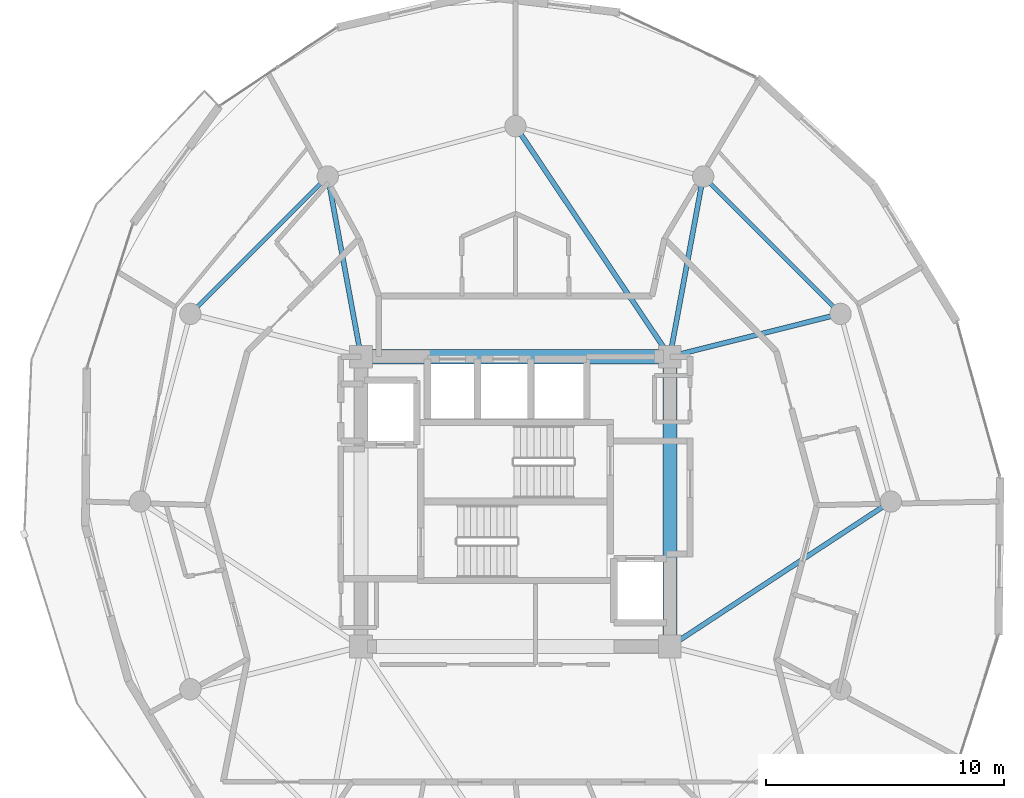
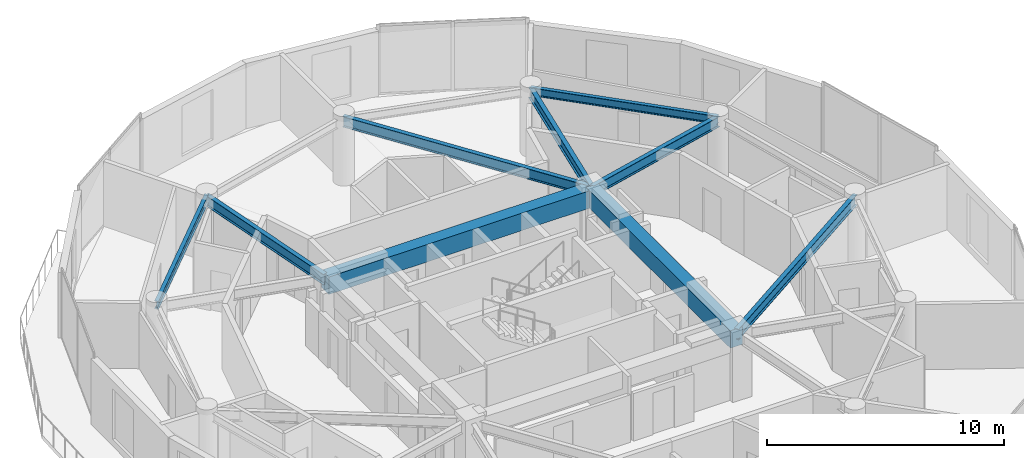
# One storey, part 7 of 20: 9 beams.
"""IFC4 building model written with IfcOpenShell, lengths in metres."""

from ifc_helpers import new_model, si_unit, direction, frame, origin, origin_2d, place, context, subcontext, project, spatial, rectangle, i_section, extrude, material, material_profile, profile_set, type_object, element, save


model = new_model("IFC4")

# Units and contexts
model_context = context("Model", 3, precision=1e-05, world=origin(), true_north=direction((0.0, 1.0)))
body_context = subcontext(model_context, "Body", "Model", "MODEL_VIEW")
ifc_project = project(units=[si_unit("LENGTHUNIT", "METRE"), si_unit("AREAUNIT", "SQUARE_METRE"), si_unit("VOLUMEUNIT", "CUBIC_METRE"), si_unit("PLANEANGLEUNIT", "RADIAN"), si_unit("MASSUNIT", "GRAM", prefix="KILO")], contexts=[model_context])

# Site, building, storey
site_placement = place(None, origin())
site = spatial("IfcSite", under=ifc_project, at=site_placement, CompositionType="ELEMENT")
building_placement = place(site_placement, origin())
building = spatial("IfcBuilding", under=site, at=building_placement, Name="Solvirekh Grand Hotel", CompositionType="ELEMENT")
storey_placement = place(building_placement, frame((0.0, 0.0, 209.199951171875)))
storey = spatial("IfcBuildingStorey", under=building, at=storey_placement, Name="L54", CompositionType="ELEMENT", Elevation=209.199951171875)

# Beams
ifc_material_1 = material(Name="Concrete C50/60", Category="concrete")
ifc_material_profile_1 = material_profile(ifc_material_1, rectangle(XDim=0.60009765625, YDim=0.89990234375, at=origin_2d()), Name="RC BEAM 600X900")
ifc_profile_set_1 = profile_set([ifc_material_profile_1], Name="Concrete C50/60")
beam_type_1 = type_object("IfcBeamType", Name="Beam_Core_RC900", PredefinedType="BEAM", material=ifc_profile_set_1)
beam_1_placement = place(storey_placement, frame((6.5, -6.10009765625, 2.91015625), z_axis=(0.0, 1.0, 0.0), x_axis=(-1.0, 0.0, 0.0)))
element("IfcBeam", 1, at=beam_1_placement, inside=storey, type_object=beam_type_1, Name="L54 core coupling ring beam 2", PredefinedType="BEAM", context=body_context, shape_type="SweptSolid", body=[
    extrude(rectangle(XDim=0.60009765625, YDim=0.89990234375, at=origin_2d()), origin(), (0.0, 0.0, 1.0), 12.2001953125),
])
beam_2_placement = place(storey_placement, frame((6.5, 6.10009765625, 2.91015625), z_axis=(-1.0, 0.0, 0.0), x_axis=(0.0, -1.0, 0.0)))
element("IfcBeam", 2, at=beam_2_placement, inside=storey, type_object=beam_type_1, Name="L54 core coupling ring beam 3", PredefinedType="BEAM", context=body_context, shape_type="SweptSolid", body=[
    extrude(rectangle(XDim=0.60009765625, YDim=0.89990234375, at=origin_2d()), origin(), (0.0, 0.0, 1.0), 13.0),
])
ifc_material_2 = material(Name="Steel S355", Category="steel")
ifc_material_profile_2 = material_profile(ifc_material_2, i_section(OverallWidth=0.2119140625, OverallDepth=0.5439453125, WebThickness=0.011962890625, FlangeThickness=0.01904296875, FilletRadius=0.013916015625, at=origin_2d()), Name="W530X123")
ifc_profile_set_2 = profile_set([ifc_material_profile_2], Name="Steel S355")
beam_type_2 = type_object("IfcBeamType", Name="Beam_Radial_W530H", PredefinedType="BEAM", material=ifc_profile_set_2)
beam_3_placement = place(storey_placement, frame((6.5, -6.10009765625, 3.088134765625), z_axis=(0.836174064962, 0.548464158432, 0.0), x_axis=(-0.548464158432, 0.836174064962, 0.0)))
element("IfcBeam", 3, at=beam_3_placement, inside=storey, type_object=beam_type_2, Name="L54 radial floor beam R01", PredefinedType="BEAM", context=body_context, shape_type="SweptSolid", body=[
    extrude(i_section(OverallWidth=0.2119140625, OverallDepth=0.5439453125, WebThickness=0.011962890625, FlangeThickness=0.01904296875, FilletRadius=0.013916015625, at=origin_2d()), origin(), (0.0, 0.0, 1.0), 11.1220703125),
])
beam_4_placement = place(storey_placement, frame((6.5, 6.10009765625, 3.088134765625), z_axis=(0.970014367692, 0.243047580675, 0.0), x_axis=(-0.243047580675, 0.970014367692, 0.0)))
element("IfcBeam", 4, at=beam_4_placement, inside=storey, type_object=beam_type_2, Name="L54 radial floor beam R02", PredefinedType="BEAM", context=body_context, shape_type="SweptSolid", body=[
    extrude(i_section(OverallWidth=0.2119140625, OverallDepth=0.5439453125, WebThickness=0.011962890625, FlangeThickness=0.01904296875, FilletRadius=0.013916015625, at=origin_2d()), origin(), (0.0, 0.0, 1.0), 7.4052734375),
])
beam_5_placement = place(storey_placement, frame((6.5, 6.10009765625, 3.088134765625), z_axis=(0.181542769111, 0.983383049978, 0.0), x_axis=(-0.983383049978, 0.181542769111, 0.0)))
element("IfcBeam", 5, at=beam_5_placement, inside=storey, type_object=beam_type_2, Name="L54 radial floor beam R03", PredefinedType="BEAM", context=body_context, shape_type="SweptSolid", body=[
    extrude(i_section(OverallWidth=0.2119140625, OverallDepth=0.5439453125, WebThickness=0.011962890625, FlangeThickness=0.01904296875, FilletRadius=0.013916015625, at=origin_2d()), origin(), (0.0, 0.0, 1.0), 7.711181640625),
])
beam_6_placement = place(storey_placement, frame((6.5, 6.10009765625, 3.088134765625), z_axis=(-0.556676926176, 0.830729077295, 0.0), x_axis=(-0.830729077295, -0.556676926176, 0.0)))
element("IfcBeam", 6, at=beam_6_placement, inside=storey, type_object=beam_type_2, Name="L54 radial floor beam R04", PredefinedType="BEAM", context=body_context, shape_type="SweptSolid", body=[
    extrude(i_section(OverallWidth=0.2119140625, OverallDepth=0.5439453125, WebThickness=0.011962890625, FlangeThickness=0.01904296875, FilletRadius=0.013916015625, at=origin_2d()), origin(), (0.0, 0.0, 1.0), 11.676513671875),
])
beam_7_placement = place(storey_placement, frame((-6.5, 6.10009765625, 3.088134765625), z_axis=(-0.181542769111, 0.983383049978, 0.0), x_axis=(-0.983383049978, -0.181542769111, 0.0)))
element("IfcBeam", 7, at=beam_7_placement, inside=storey, type_object=beam_type_2, Name="L54 radial floor beam R05", PredefinedType="BEAM", context=body_context, shape_type="SweptSolid", body=[
    extrude(i_section(OverallWidth=0.2119140625, OverallDepth=0.5439453125, WebThickness=0.011962890625, FlangeThickness=0.01904296875, FilletRadius=0.013916015625, at=origin_2d()), origin(), (0.0, 0.0, 1.0), 7.711181640625),
])
ifc_material_profile_3 = material_profile(ifc_material_2, i_section(OverallWidth=0.180908203125, OverallDepth=0.4169921875, WebThickness=0.010009765625, FlangeThickness=0.01611328125, FilletRadius=0.011962890625, at=origin_2d()), Name="W410X85")
ifc_profile_set_3 = profile_set([ifc_material_profile_3], Name="Steel S355")
beam_type_3 = type_object("IfcBeamType", Name="Spandrel_Ring_W410", PredefinedType="SPANDREL", material=ifc_profile_set_3)
for number, where, z_axis, x_axis, name in (
    (8, (13.68310546875, 7.89990234375, 3.152099609375), (-0.707106781187, 0.707106781187, 0.0), (-0.707106781187, -0.707106781187, 0.0), "L54 perimeter spandrel beam 2"),
    (9, (-7.89990234375, 13.68310546875, 3.152099609375), (-0.707106781187, -0.707106781187, 0.0), (0.707106781187, -0.707106781187, 0.0), "L54 perimeter spandrel beam 5"),
):
    element("IfcBeam", number, at=place(storey_placement, frame(where, z_axis=z_axis, x_axis=x_axis)), inside=storey, type_object=beam_type_3, Name=name, PredefinedType="SPANDREL", context=body_context, shape_type="SweptSolid", body=[
        extrude(i_section(OverallWidth=0.180908203125, OverallDepth=0.4169921875, WebThickness=0.010009765625, FlangeThickness=0.01611328125, FilletRadius=0.011962890625, at=origin_2d()), origin(), (0.0, 0.0, 1.0), 8.1787109375),
    ])

save(model, "model.ifc")
